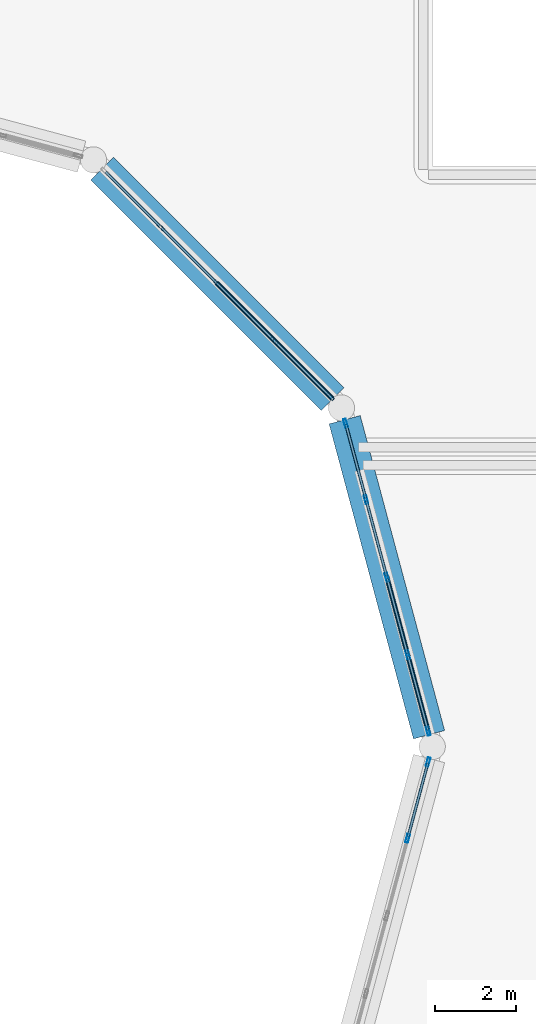
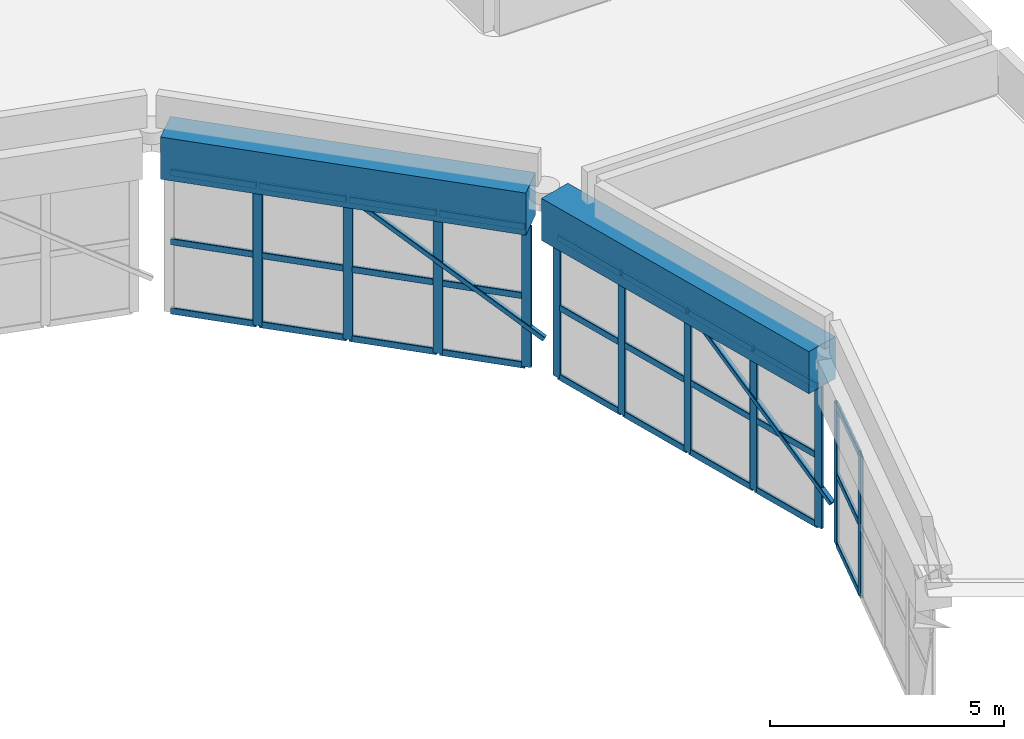
# One storey, part 22 of 48: 40 members, 2 beams, 3 elements without a shape of their own.
"""IFC4 building model written with IfcOpenShell, lengths in metres."""

from ifc_helpers import new_model, si_unit, derived_unit, direction, frame, origin, origin_2d, place, context, subcontext, project, spatial, rectangle, hollow_rectangle, extrude, material, material_profile, profile_set, type_object, element, aggregate, save


model = new_model("IFC4")

# Units and contexts
model_context = context("Model", 3, precision=1e-05, world=origin(), true_north=direction((0.0, 1.0)))
body_context = subcontext(model_context, "Body", "Model", "MODEL_VIEW")
ifc_project = project(units=[si_unit("LENGTHUNIT", "METRE"), si_unit("AREAUNIT", "SQUARE_METRE"), si_unit("VOLUMEUNIT", "CUBIC_METRE"), si_unit("PLANEANGLEUNIT", "RADIAN"), si_unit("MASSUNIT", "GRAM", prefix="KILO"), derived_unit("THERMALTRANSMITTANCEUNIT", [(si_unit("POWERUNIT", "WATT"), 1), (si_unit("LENGTHUNIT", "METRE"), -2), (si_unit("THERMODYNAMICTEMPERATUREUNIT", "KELVIN"), -1)])], contexts=[model_context])

# Site, building, storey
site_placement = place(None, origin())
site = spatial("IfcSite", under=ifc_project, at=site_placement, CompositionType="ELEMENT")
building_placement = place(site_placement, origin())
building = spatial("IfcBuilding", under=site, at=building_placement, Name="Veybourne Emporium", CompositionType="ELEMENT")
storey_placement = place(building_placement, frame((0.0, 0.0, 27.89990234375)))
storey = spatial("IfcBuildingStorey", under=building, at=storey_placement, Name="L06", CompositionType="ELEMENT", Elevation=27.89990234375)

# Curtain wall, members
ifc_material_1 = material(Name="Patinated Architectural Bronze", Category="bronze")
curtain_wall_type_1 = type_object("IfcCurtainWallType", Name="CWSystem_CWS-21", PredefinedType="NOTDEFINED", material=ifc_material_1)
curtain_wall_1_placement = place(storey_placement, origin())
curtain_wall_1 = element("IfcCurtainWall", 1, at=curtain_wall_1_placement, inside=storey, type_object=curtain_wall_type_1, Name="Atrium drum clerestory curtain wall 01", PredefinedType="NOTDEFINED")
ifc_material_profile_1 = material_profile(ifc_material_1, hollow_rectangle(XDim=0.070068359375, YDim=0.219970703125, WallThickness=0.0048828125, InnerFilletRadius=0.007568359375, OuterFilletRadius=0.012451171875, at=origin_2d()), Name="CWM 70x220x5")
ifc_profile_set_1 = profile_set([ifc_material_profile_1], Name="Patinated Architectural Bronze")
member_type_1 = type_object("IfcMemberType", Name="CWMullion_CW-M4", PredefinedType="MULLION", material=ifc_profile_set_1)
member_1_placement = place(storey_placement, frame((92.2978515625, 50.781494140625, -4.5), z_axis=(0.0, 0.0, 1.0), x_axis=(-0.965925678069, -0.258819598266, 0.0)))
member_1 = element("IfcMember", 2, at=member_1_placement, type_object=member_type_1, Name="CWS-21 mullion 1", PredefinedType="MULLION", context=body_context, shape_type="SweptSolid", body=[
    extrude(hollow_rectangle(XDim=0.070068359375, YDim=0.219970703125, WallThickness=0.0048828125, InnerFilletRadius=0.007568359375, OuterFilletRadius=0.012451171875, at=origin_2d()), origin(), (0.0, 0.0, 1.0), 3.68017578125),
])
member_2_placement = place(storey_placement, frame((91.790771484375, 52.673828125, -4.5), z_axis=(0.0, 0.0, 1.0), x_axis=(-0.965925678069, -0.258819598266, 0.0)))
member_2 = element("IfcMember", 3, at=member_2_placement, type_object=member_type_1, Name="CWS-21 mullion 2", PredefinedType="MULLION", context=body_context, shape_type="SweptSolid", body=[
    extrude(hollow_rectangle(XDim=0.070068359375, YDim=0.219970703125, WallThickness=0.0048828125, InnerFilletRadius=0.007568359375, OuterFilletRadius=0.012451171875, at=origin_2d()), origin(), (0.0, 0.0, 1.0), 3.68017578125),
])
member_3_placement = place(storey_placement, frame((91.274658203125, 54.60009765625, -4.5), z_axis=(0.0, 0.0, 1.0), x_axis=(-0.965925678069, -0.258819598266, 0.0)))
member_3 = element("IfcMember", 4, at=member_3_placement, type_object=member_type_1, Name="CWS-21 mullion 3", PredefinedType="MULLION", context=body_context, shape_type="SweptSolid", body=[
    extrude(hollow_rectangle(XDim=0.070068359375, YDim=0.219970703125, WallThickness=0.0048828125, InnerFilletRadius=0.007568359375, OuterFilletRadius=0.012451171875, at=origin_2d()), origin(), (0.0, 0.0, 1.0), 3.68017578125),
])
member_4_placement = place(storey_placement, frame((90.758544921875, 56.526123046875, -4.5), z_axis=(0.0, 0.0, 1.0), x_axis=(-0.965925678069, -0.258819598266, 0.0)))
member_4 = element("IfcMember", 5, at=member_4_placement, type_object=member_type_1, Name="CWS-21 mullion 4", PredefinedType="MULLION", context=body_context, shape_type="SweptSolid", body=[
    extrude(hollow_rectangle(XDim=0.070068359375, YDim=0.219970703125, WallThickness=0.0048828125, InnerFilletRadius=0.007568359375, OuterFilletRadius=0.012451171875, at=origin_2d()), origin(), (0.0, 0.0, 1.0), 3.68017578125),
])
member_5_placement = place(storey_placement, frame((90.25146484375, 58.41845703125, -4.5), z_axis=(0.0, 0.0, 1.0), x_axis=(-0.965925678069, -0.258819598266, 0.0)))
member_5 = element("IfcMember", 6, at=member_5_placement, type_object=member_type_1, Name="CWS-21 mullion 5", PredefinedType="MULLION", context=body_context, shape_type="SweptSolid", body=[
    extrude(hollow_rectangle(XDim=0.070068359375, YDim=0.219970703125, WallThickness=0.0048828125, InnerFilletRadius=0.007568359375, OuterFilletRadius=0.012451171875, at=origin_2d()), origin(), (0.0, 0.0, 1.0), 3.68017578125),
])

curtain_wall_type_2 = type_object("IfcCurtainWallType", Name="CWSystem_CWS-22", PredefinedType="NOTDEFINED", material=ifc_material_1)
curtain_wall_2_placement = place(storey_placement, origin())
curtain_wall_2 = element("IfcCurtainWall", 7, at=curtain_wall_2_placement, inside=storey, type_object=curtain_wall_type_2, Name="Atrium drum clerestory curtain wall 02", PredefinedType="NOTDEFINED")
member_6_placement = place(storey_placement, frame((89.869873046875, 59.079345703125, -4.5), z_axis=(0.0, 0.0, 1.0), x_axis=(-0.707106781187, -0.707106781187, 0.0)))
member_6 = element("IfcMember", 8, at=member_6_placement, type_object=member_type_1, Name="CWS-22 mullion 1", PredefinedType="MULLION", context=body_context, shape_type="SweptSolid", body=[
    extrude(hollow_rectangle(XDim=0.070068359375, YDim=0.219970703125, WallThickness=0.0048828125, InnerFilletRadius=0.007568359375, OuterFilletRadius=0.012451171875, at=origin_2d()), origin(), (0.0, 0.0, 1.0), 3.68017578125),
])
member_7_placement = place(storey_placement, frame((88.484619140625, 60.464599609375, -4.5), z_axis=(0.0, 0.0, 1.0), x_axis=(-0.707106781187, -0.707106781187, 0.0)))
member_7 = element("IfcMember", 9, at=member_7_placement, type_object=member_type_1, Name="CWS-22 mullion 2", PredefinedType="MULLION", context=body_context, shape_type="SweptSolid", body=[
    extrude(hollow_rectangle(XDim=0.070068359375, YDim=0.219970703125, WallThickness=0.0048828125, InnerFilletRadius=0.007568359375, OuterFilletRadius=0.012451171875, at=origin_2d()), origin(), (0.0, 0.0, 1.0), 3.68017578125),
])
member_8_placement = place(storey_placement, frame((87.07470703125, 61.87451171875, -4.5), z_axis=(0.0, 0.0, 1.0), x_axis=(-0.707106781187, -0.707106781187, 0.0)))
member_8 = element("IfcMember", 10, at=member_8_placement, type_object=member_type_1, Name="CWS-22 mullion 3", PredefinedType="MULLION", context=body_context, shape_type="SweptSolid", body=[
    extrude(hollow_rectangle(XDim=0.070068359375, YDim=0.219970703125, WallThickness=0.0048828125, InnerFilletRadius=0.007568359375, OuterFilletRadius=0.012451171875, at=origin_2d()), origin(), (0.0, 0.0, 1.0), 3.68017578125),
])
member_9_placement = place(storey_placement, frame((85.66455078125, 63.28466796875, -4.5), z_axis=(0.0, 0.0, 1.0), x_axis=(-0.707106781187, -0.707106781187, 0.0)))
member_9 = element("IfcMember", 11, at=member_9_placement, type_object=member_type_1, Name="CWS-22 mullion 4", PredefinedType="MULLION", context=body_context, shape_type="SweptSolid", body=[
    extrude(hollow_rectangle(XDim=0.070068359375, YDim=0.219970703125, WallThickness=0.0048828125, InnerFilletRadius=0.007568359375, OuterFilletRadius=0.012451171875, at=origin_2d()), origin(), (0.0, 0.0, 1.0), 3.68017578125),
])

curtain_wall_type_3 = type_object("IfcCurtainWallType", Name="CWSystem_CWS-24", PredefinedType="NOTDEFINED", material=ifc_material_1)
curtain_wall_3_placement = place(storey_placement, origin())
curtain_wall_3 = element("IfcCurtainWall", 12, at=curtain_wall_3_placement, inside=storey, type_object=curtain_wall_type_3, Name="Atrium drum clerestory curtain wall 12", PredefinedType="NOTDEFINED")
member_10_placement = place(storey_placement, frame((91.790771484375, 48.126220703125, -4.5), z_axis=(0.0, 0.0, 1.0), x_axis=(-0.965925678069, 0.258819598266, 0.0)))
member_10 = element("IfcMember", 13, at=member_10_placement, type_object=member_type_1, Name="CWS-24 mullion 4", PredefinedType="MULLION", context=body_context, shape_type="SweptSolid", body=[
    extrude(hollow_rectangle(XDim=0.070068359375, YDim=0.219970703125, WallThickness=0.0048828125, InnerFilletRadius=0.007568359375, OuterFilletRadius=0.012451171875, at=origin_2d()), origin(), (0.0, 0.0, 1.0), 3.68017578125),
])
member_11_placement = place(storey_placement, frame((92.2978515625, 50.0185546875, -4.5), z_axis=(0.0, 0.0, 1.0), x_axis=(-0.965925678069, 0.258819598266, 0.0)))
member_11 = element("IfcMember", 14, at=member_11_placement, type_object=member_type_1, Name="CWS-24 mullion 5", PredefinedType="MULLION", context=body_context, shape_type="SweptSolid", body=[
    extrude(hollow_rectangle(XDim=0.070068359375, YDim=0.219970703125, WallThickness=0.0048828125, InnerFilletRadius=0.007568359375, OuterFilletRadius=0.012451171875, at=origin_2d()), origin(), (0.0, 0.0, 1.0), 3.68017578125),
])

# Member
ifc_material_profile_2 = material_profile(ifc_material_1, hollow_rectangle(XDim=0.070068359375, YDim=0.169921875, WallThickness=0.0048828125, InnerFilletRadius=0.007568359375, OuterFilletRadius=0.012451171875, at=origin_2d()), Name="CWT 70x170x5")
ifc_profile_set_2 = profile_set([ifc_material_profile_2], Name="Patinated Architectural Bronze")
member_type_2 = type_object("IfcMemberType", Name="CWTransom_CW-T4", PredefinedType="NOTDEFINED", material=ifc_profile_set_2)
member_12_placement = place(storey_placement, frame((92.288818359375, 50.8154296875, -4.46484375), z_axis=(-0.258860974636, 0.965914590329, 0.0), x_axis=(-0.965914590329, -0.258860974636, 0.0)))
member_12 = element("IfcMember", 15, at=member_12_placement, type_object=member_type_2, Name="CWS-21 transom 1.1", ObjectType="TRANSOM", PredefinedType="USERDEFINED", context=body_context, shape_type="SweptSolid", body=[
    extrude(hollow_rectangle(XDim=0.070068359375, YDim=0.169921875, WallThickness=0.0048828125, InnerFilletRadius=0.007568359375, OuterFilletRadius=0.012451171875, at=origin_2d()), origin(), (0.0, 0.0, 1.0), 1.88916015625),
])

member_13_placement = place(storey_placement, frame((92.288818359375, 50.8154296875, -2.659912109375), z_axis=(-0.258860974636, 0.965914590329, 0.0), x_axis=(-0.965914590329, -0.258860974636, 0.0)))
member_13 = element("IfcMember", 16, at=member_13_placement, type_object=member_type_2, Name="CWS-21 transom 1.2", ObjectType="TRANSOM", PredefinedType="USERDEFINED", context=body_context, shape_type="SweptSolid", body=[
    extrude(hollow_rectangle(XDim=0.070068359375, YDim=0.169921875, WallThickness=0.0048828125, InnerFilletRadius=0.007568359375, OuterFilletRadius=0.012451171875, at=origin_2d()), origin(), (0.0, 0.0, 1.0), 1.88916015625),
])

member_14_placement = place(storey_placement, frame((92.288818359375, 50.8154296875, -0.85498046875), z_axis=(-0.258860974636, 0.965914590329, 0.0), x_axis=(-0.965914590329, -0.258860974636, 0.0)))
member_14 = element("IfcMember", 17, at=member_14_placement, type_object=member_type_2, Name="CWS-21 transom 1.3", ObjectType="TRANSOM", PredefinedType="USERDEFINED", context=body_context, shape_type="SweptSolid", body=[
    extrude(hollow_rectangle(XDim=0.070068359375, YDim=0.169921875, WallThickness=0.0048828125, InnerFilletRadius=0.007568359375, OuterFilletRadius=0.012451171875, at=origin_2d()), origin(), (0.0, 0.0, 1.0), 1.88916015625),
])

member_15_placement = place(storey_placement, frame((91.78173828125, 52.707763671875, -4.46484375), z_axis=(-0.258862938836, 0.96591406393, 0.0), x_axis=(-0.96591406393, -0.258862938836, 0.0)))
member_15 = element("IfcMember", 18, at=member_15_placement, type_object=member_type_2, Name="CWS-21 transom 2.1", ObjectType="TRANSOM", PredefinedType="USERDEFINED", context=body_context, shape_type="SweptSolid", body=[
    extrude(hollow_rectangle(XDim=0.070068359375, YDim=0.169921875, WallThickness=0.0048828125, InnerFilletRadius=0.007568359375, OuterFilletRadius=0.012451171875, at=origin_2d()), origin(), (0.0, 0.0, 1.0), 1.924072265625),
])

member_16_placement = place(storey_placement, frame((91.78173828125, 52.707763671875, -2.659912109375), z_axis=(-0.258862938836, 0.96591406393, 0.0), x_axis=(-0.96591406393, -0.258862938836, 0.0)))
member_16 = element("IfcMember", 19, at=member_16_placement, type_object=member_type_2, Name="CWS-21 transom 2.2", ObjectType="TRANSOM", PredefinedType="USERDEFINED", context=body_context, shape_type="SweptSolid", body=[
    extrude(hollow_rectangle(XDim=0.070068359375, YDim=0.169921875, WallThickness=0.0048828125, InnerFilletRadius=0.007568359375, OuterFilletRadius=0.012451171875, at=origin_2d()), origin(), (0.0, 0.0, 1.0), 1.924072265625),
])

member_17_placement = place(storey_placement, frame((91.78173828125, 52.707763671875, -0.85498046875), z_axis=(-0.258862938836, 0.96591406393, 0.0), x_axis=(-0.96591406393, -0.258862938836, 0.0)))
member_17 = element("IfcMember", 20, at=member_17_placement, type_object=member_type_2, Name="CWS-21 transom 2.3", ObjectType="TRANSOM", PredefinedType="USERDEFINED", context=body_context, shape_type="SweptSolid", body=[
    extrude(hollow_rectangle(XDim=0.070068359375, YDim=0.169921875, WallThickness=0.0048828125, InnerFilletRadius=0.007568359375, OuterFilletRadius=0.012451171875, at=origin_2d()), origin(), (0.0, 0.0, 1.0), 1.924072265625),
])

member_18_placement = place(storey_placement, frame((91.265625, 54.6337890625, -4.46484375), z_axis=(-0.258831214191, 0.965922565509, 0.0), x_axis=(-0.965922565509, -0.258831214191, 0.0)))
member_18 = element("IfcMember", 21, at=member_18_placement, type_object=member_type_2, Name="CWS-21 transom 3.1", ObjectType="TRANSOM", PredefinedType="USERDEFINED", context=body_context, shape_type="SweptSolid", body=[
    extrude(hollow_rectangle(XDim=0.070068359375, YDim=0.169921875, WallThickness=0.0048828125, InnerFilletRadius=0.007568359375, OuterFilletRadius=0.012451171875, at=origin_2d()), origin(), (0.0, 0.0, 1.0), 1.92431640625),
])

member_19_placement = place(storey_placement, frame((91.265625, 54.6337890625, -2.659912109375), z_axis=(-0.258831214191, 0.965922565509, 0.0), x_axis=(-0.965922565509, -0.258831214191, 0.0)))
member_19 = element("IfcMember", 22, at=member_19_placement, type_object=member_type_2, Name="CWS-21 transom 3.2", ObjectType="TRANSOM", PredefinedType="USERDEFINED", context=body_context, shape_type="SweptSolid", body=[
    extrude(hollow_rectangle(XDim=0.070068359375, YDim=0.169921875, WallThickness=0.0048828125, InnerFilletRadius=0.007568359375, OuterFilletRadius=0.012451171875, at=origin_2d()), origin(), (0.0, 0.0, 1.0), 1.92431640625),
])

member_20_placement = place(storey_placement, frame((91.265625, 54.6337890625, -0.85498046875), z_axis=(-0.258831214191, 0.965922565509, 0.0), x_axis=(-0.965922565509, -0.258831214191, 0.0)))
member_20 = element("IfcMember", 23, at=member_20_placement, type_object=member_type_2, Name="CWS-21 transom 3.3", ObjectType="TRANSOM", PredefinedType="USERDEFINED", context=body_context, shape_type="SweptSolid", body=[
    extrude(hollow_rectangle(XDim=0.070068359375, YDim=0.169921875, WallThickness=0.0048828125, InnerFilletRadius=0.007568359375, OuterFilletRadius=0.012451171875, at=origin_2d()), origin(), (0.0, 0.0, 1.0), 1.92431640625),
])

member_21_placement = place(storey_placement, frame((90.74951171875, 56.56005859375, -4.46484375), z_axis=(-0.258860974636, 0.965914590329, 0.0), x_axis=(-0.965914590329, -0.258860974636, 0.0)))
member_21 = element("IfcMember", 24, at=member_21_placement, type_object=member_type_2, Name="CWS-21 transom 4.1", ObjectType="TRANSOM", PredefinedType="USERDEFINED", context=body_context, shape_type="SweptSolid", body=[
    extrude(hollow_rectangle(XDim=0.070068359375, YDim=0.169921875, WallThickness=0.0048828125, InnerFilletRadius=0.007568359375, OuterFilletRadius=0.012451171875, at=origin_2d()), origin(), (0.0, 0.0, 1.0), 1.88916015625),
])

member_22_placement = place(storey_placement, frame((90.74951171875, 56.56005859375, -2.659912109375), z_axis=(-0.258860974636, 0.965914590329, 0.0), x_axis=(-0.965914590329, -0.258860974636, 0.0)))
member_22 = element("IfcMember", 25, at=member_22_placement, type_object=member_type_2, Name="CWS-21 transom 4.2", ObjectType="TRANSOM", PredefinedType="USERDEFINED", context=body_context, shape_type="SweptSolid", body=[
    extrude(hollow_rectangle(XDim=0.070068359375, YDim=0.169921875, WallThickness=0.0048828125, InnerFilletRadius=0.007568359375, OuterFilletRadius=0.012451171875, at=origin_2d()), origin(), (0.0, 0.0, 1.0), 1.88916015625),
])

member_23_placement = place(storey_placement, frame((90.74951171875, 56.56005859375, -0.85498046875), z_axis=(-0.258860974636, 0.965914590329, 0.0), x_axis=(-0.965914590329, -0.258860974636, 0.0)))
member_23 = element("IfcMember", 26, at=member_23_placement, type_object=member_type_2, Name="CWS-21 transom 4.3", ObjectType="TRANSOM", PredefinedType="USERDEFINED", context=body_context, shape_type="SweptSolid", body=[
    extrude(hollow_rectangle(XDim=0.070068359375, YDim=0.169921875, WallThickness=0.0048828125, InnerFilletRadius=0.007568359375, OuterFilletRadius=0.012451171875, at=origin_2d()), origin(), (0.0, 0.0, 1.0), 1.88916015625),
])

aggregate(curtain_wall_1, [member_1, member_2, member_3, member_4, member_5, member_12, member_13, member_14, member_15, member_16, member_17, member_18, member_19, member_20, member_21, member_22, member_23])

member_24_placement = place(storey_placement, frame((89.84521484375, 59.10400390625, -4.46484375), z_axis=(-0.707106781187, 0.707106781187, 0.0), x_axis=(-0.707106781187, -0.707106781187, 0.0)))
member_24 = element("IfcMember", 27, at=member_24_placement, type_object=member_type_2, Name="CWS-22 transom 1.1", ObjectType="TRANSOM", PredefinedType="USERDEFINED", context=body_context, shape_type="SweptSolid", body=[
    extrude(hollow_rectangle(XDim=0.070068359375, YDim=0.169921875, WallThickness=0.0048828125, InnerFilletRadius=0.007568359375, OuterFilletRadius=0.012451171875, at=origin_2d()), origin(), (0.0, 0.0, 1.0), 1.889404296875),
])

member_25_placement = place(storey_placement, frame((89.84521484375, 59.10400390625, -2.659912109375), z_axis=(-0.707106781187, 0.707106781187, 0.0), x_axis=(-0.707106781187, -0.707106781187, 0.0)))
member_25 = element("IfcMember", 28, at=member_25_placement, type_object=member_type_2, Name="CWS-22 transom 1.2", ObjectType="TRANSOM", PredefinedType="USERDEFINED", context=body_context, shape_type="SweptSolid", body=[
    extrude(hollow_rectangle(XDim=0.070068359375, YDim=0.169921875, WallThickness=0.0048828125, InnerFilletRadius=0.007568359375, OuterFilletRadius=0.012451171875, at=origin_2d()), origin(), (0.0, 0.0, 1.0), 1.889404296875),
])

member_26_placement = place(storey_placement, frame((89.84521484375, 59.10400390625, -0.85498046875), z_axis=(-0.707106781187, 0.707106781187, 0.0), x_axis=(-0.707106781187, -0.707106781187, 0.0)))
member_26 = element("IfcMember", 29, at=member_26_placement, type_object=member_type_2, Name="CWS-22 transom 1.3", ObjectType="TRANSOM", PredefinedType="USERDEFINED", context=body_context, shape_type="SweptSolid", body=[
    extrude(hollow_rectangle(XDim=0.070068359375, YDim=0.169921875, WallThickness=0.0048828125, InnerFilletRadius=0.007568359375, OuterFilletRadius=0.012451171875, at=origin_2d()), origin(), (0.0, 0.0, 1.0), 1.889404296875),
])

member_27_placement = place(storey_placement, frame((88.4599609375, 60.4892578125, -4.46484375), z_axis=(-0.707106781187, 0.707106781187, 0.0), x_axis=(-0.707106781187, -0.707106781187, 0.0)))
member_27 = element("IfcMember", 30, at=member_27_placement, type_object=member_type_2, Name="CWS-22 transom 2.1", ObjectType="TRANSOM", PredefinedType="USERDEFINED", context=body_context, shape_type="SweptSolid", body=[
    extrude(hollow_rectangle(XDim=0.070068359375, YDim=0.169921875, WallThickness=0.0048828125, InnerFilletRadius=0.007568359375, OuterFilletRadius=0.012451171875, at=origin_2d()), origin(), (0.0, 0.0, 1.0), 1.924072265625),
])

member_28_placement = place(storey_placement, frame((88.4599609375, 60.4892578125, -2.659912109375), z_axis=(-0.707106781187, 0.707106781187, 0.0), x_axis=(-0.707106781187, -0.707106781187, 0.0)))
member_28 = element("IfcMember", 31, at=member_28_placement, type_object=member_type_2, Name="CWS-22 transom 2.2", ObjectType="TRANSOM", PredefinedType="USERDEFINED", context=body_context, shape_type="SweptSolid", body=[
    extrude(hollow_rectangle(XDim=0.070068359375, YDim=0.169921875, WallThickness=0.0048828125, InnerFilletRadius=0.007568359375, OuterFilletRadius=0.012451171875, at=origin_2d()), origin(), (0.0, 0.0, 1.0), 1.924072265625),
])

member_29_placement = place(storey_placement, frame((88.4599609375, 60.4892578125, -0.85498046875), z_axis=(-0.707106781187, 0.707106781187, 0.0), x_axis=(-0.707106781187, -0.707106781187, 0.0)))
member_29 = element("IfcMember", 32, at=member_29_placement, type_object=member_type_2, Name="CWS-22 transom 2.3", ObjectType="TRANSOM", PredefinedType="USERDEFINED", context=body_context, shape_type="SweptSolid", body=[
    extrude(hollow_rectangle(XDim=0.070068359375, YDim=0.169921875, WallThickness=0.0048828125, InnerFilletRadius=0.007568359375, OuterFilletRadius=0.012451171875, at=origin_2d()), origin(), (0.0, 0.0, 1.0), 1.924072265625),
])

member_30_placement = place(storey_placement, frame((87.0498046875, 61.8994140625, -4.46484375), z_axis=(-0.707043332241, 0.70717022444, 0.0), x_axis=(-0.70717022444, -0.707043332241, 0.0)))
member_30 = element("IfcMember", 33, at=member_30_placement, type_object=member_type_2, Name="CWS-22 transom 3.1", ObjectType="TRANSOM", PredefinedType="USERDEFINED", context=body_context, shape_type="SweptSolid", body=[
    extrude(hollow_rectangle(XDim=0.070068359375, YDim=0.169921875, WallThickness=0.0048828125, InnerFilletRadius=0.007568359375, OuterFilletRadius=0.012451171875, at=origin_2d()), origin(), (0.0, 0.0, 1.0), 1.924072265625),
])

member_31_placement = place(storey_placement, frame((87.0498046875, 61.8994140625, -2.659912109375), z_axis=(-0.707043332241, 0.70717022444, 0.0), x_axis=(-0.70717022444, -0.707043332241, 0.0)))
member_31 = element("IfcMember", 34, at=member_31_placement, type_object=member_type_2, Name="CWS-22 transom 3.2", ObjectType="TRANSOM", PredefinedType="USERDEFINED", context=body_context, shape_type="SweptSolid", body=[
    extrude(hollow_rectangle(XDim=0.070068359375, YDim=0.169921875, WallThickness=0.0048828125, InnerFilletRadius=0.007568359375, OuterFilletRadius=0.012451171875, at=origin_2d()), origin(), (0.0, 0.0, 1.0), 1.924072265625),
])

member_32_placement = place(storey_placement, frame((87.0498046875, 61.8994140625, -0.85498046875), z_axis=(-0.707043332241, 0.70717022444, 0.0), x_axis=(-0.70717022444, -0.707043332241, 0.0)))
member_32 = element("IfcMember", 35, at=member_32_placement, type_object=member_type_2, Name="CWS-22 transom 3.3", ObjectType="TRANSOM", PredefinedType="USERDEFINED", context=body_context, shape_type="SweptSolid", body=[
    extrude(hollow_rectangle(XDim=0.070068359375, YDim=0.169921875, WallThickness=0.0048828125, InnerFilletRadius=0.007568359375, OuterFilletRadius=0.012451171875, at=origin_2d()), origin(), (0.0, 0.0, 1.0), 1.924072265625),
])

member_33_placement = place(storey_placement, frame((85.639892578125, 63.309326171875, -4.46484375), z_axis=(-0.707106781187, 0.707106781187, 0.0), x_axis=(-0.707106781187, -0.707106781187, 0.0)))
member_33 = element("IfcMember", 36, at=member_33_placement, type_object=member_type_2, Name="CWS-22 transom 4.1", ObjectType="TRANSOM", PredefinedType="USERDEFINED", context=body_context, shape_type="SweptSolid", body=[
    extrude(hollow_rectangle(XDim=0.070068359375, YDim=0.169921875, WallThickness=0.0048828125, InnerFilletRadius=0.007568359375, OuterFilletRadius=0.012451171875, at=origin_2d()), origin(), (0.0, 0.0, 1.0), 1.889404296875),
])

member_34_placement = place(storey_placement, frame((85.639892578125, 63.309326171875, -2.659912109375), z_axis=(-0.707106781187, 0.707106781187, 0.0), x_axis=(-0.707106781187, -0.707106781187, 0.0)))
member_34 = element("IfcMember", 37, at=member_34_placement, type_object=member_type_2, Name="CWS-22 transom 4.2", ObjectType="TRANSOM", PredefinedType="USERDEFINED", context=body_context, shape_type="SweptSolid", body=[
    extrude(hollow_rectangle(XDim=0.070068359375, YDim=0.169921875, WallThickness=0.0048828125, InnerFilletRadius=0.007568359375, OuterFilletRadius=0.012451171875, at=origin_2d()), origin(), (0.0, 0.0, 1.0), 1.889404296875),
])

member_35_placement = place(storey_placement, frame((85.639892578125, 63.309326171875, -0.85498046875), z_axis=(-0.707106781187, 0.707106781187, 0.0), x_axis=(-0.707106781187, -0.707106781187, 0.0)))
member_35 = element("IfcMember", 38, at=member_35_placement, type_object=member_type_2, Name="CWS-22 transom 4.3", ObjectType="TRANSOM", PredefinedType="USERDEFINED", context=body_context, shape_type="SweptSolid", body=[
    extrude(hollow_rectangle(XDim=0.070068359375, YDim=0.169921875, WallThickness=0.0048828125, InnerFilletRadius=0.007568359375, OuterFilletRadius=0.012451171875, at=origin_2d()), origin(), (0.0, 0.0, 1.0), 1.889404296875),
])

aggregate(curtain_wall_2, [member_6, member_7, member_8, member_9, member_24, member_25, member_26, member_27, member_28, member_29, member_30, member_31, member_32, member_33, member_34, member_35])

member_36_placement = place(storey_placement, frame((91.7998046875, 48.159912109375, -4.46484375), z_axis=(0.258860974636, 0.965914590329, 0.0), x_axis=(-0.965914590329, 0.258860974636, 0.0)))
member_36 = element("IfcMember", 39, at=member_36_placement, type_object=member_type_2, Name="CWS-24 transom 4.1", ObjectType="TRANSOM", PredefinedType="USERDEFINED", context=body_context, shape_type="SweptSolid", body=[
    extrude(hollow_rectangle(XDim=0.070068359375, YDim=0.169921875, WallThickness=0.0048828125, InnerFilletRadius=0.007568359375, OuterFilletRadius=0.012451171875, at=origin_2d()), origin(), (0.0, 0.0, 1.0), 1.88916015625),
])

member_37_placement = place(storey_placement, frame((91.7998046875, 48.159912109375, -2.659912109375), z_axis=(0.258860974636, 0.965914590329, 0.0), x_axis=(-0.965914590329, 0.258860974636, 0.0)))
member_37 = element("IfcMember", 40, at=member_37_placement, type_object=member_type_2, Name="CWS-24 transom 4.2", ObjectType="TRANSOM", PredefinedType="USERDEFINED", context=body_context, shape_type="SweptSolid", body=[
    extrude(hollow_rectangle(XDim=0.070068359375, YDim=0.169921875, WallThickness=0.0048828125, InnerFilletRadius=0.007568359375, OuterFilletRadius=0.012451171875, at=origin_2d()), origin(), (0.0, 0.0, 1.0), 1.88916015625),
])

member_38_placement = place(storey_placement, frame((91.7998046875, 48.159912109375, -0.85498046875), z_axis=(0.258860974636, 0.965914590329, 0.0), x_axis=(-0.965914590329, 0.258860974636, 0.0)))
member_38 = element("IfcMember", 41, at=member_38_placement, type_object=member_type_2, Name="CWS-24 transom 4.3", ObjectType="TRANSOM", PredefinedType="USERDEFINED", context=body_context, shape_type="SweptSolid", body=[
    extrude(hollow_rectangle(XDim=0.070068359375, YDim=0.169921875, WallThickness=0.0048828125, InnerFilletRadius=0.007568359375, OuterFilletRadius=0.012451171875, at=origin_2d()), origin(), (0.0, 0.0, 1.0), 1.88916015625),
])

aggregate(curtain_wall_3, [member_10, member_11, member_36, member_37, member_38])

# Beams
ifc_material_2 = material(Name="Concrete C40/50", Category="concrete")
ifc_material_profile_3 = material_profile(ifc_material_2, rectangle(XDim=0.800048828125, YDim=1.10009765625, at=origin_2d()), Name="RC 800x1100")
ifc_profile_set_3 = profile_set([ifc_material_profile_3], Name="Concrete C40/50")
beam_type = type_object("IfcBeamType", Name="RCBeam_RB-01", PredefinedType="BEAM", material=ifc_profile_set_3)
beam_1_placement = place(storey_placement, frame((92.321044921875, 50.694580078125, -0.25), z_axis=(-0.258805002235, 0.965929588955, 0.0), x_axis=(-0.965929588955, -0.258805002235, 0.0)))
element("IfcBeam", 42, at=beam_1_placement, inside=storey, type_object=beam_type, Name="Atrium ring beam RB-01 L06-01", PredefinedType="BEAM", context=body_context, shape_type="SweptSolid", body=[
    extrude(rectangle(XDim=0.800048828125, YDim=1.10009765625, at=origin_2d()), origin(), (0.0, 0.0, 1.0), 8.086181640625),
])
beam_2_placement = place(storey_placement, frame((89.93359375, 59.015625, -0.25), z_axis=(-0.707106781187, 0.707106781187, 0.0), x_axis=(-0.707106781187, -0.707106781187, 0.0)))
element("IfcBeam", 43, at=beam_2_placement, inside=storey, type_object=beam_type, Name="Atrium ring beam RB-01 L06-02", PredefinedType="BEAM", context=body_context, shape_type="SweptSolid", body=[
    extrude(rectangle(XDim=0.800048828125, YDim=1.10009765625, at=origin_2d()), origin(), (0.0, 0.0, 1.0), 8.08642578125),
])

# Members
ifc_material_3 = material(Name="Steel S355", Category="steel")
ifc_material_profile_4 = material_profile(ifc_material_3, hollow_rectangle(XDim=0.1201171875, YDim=0.1201171875, WallThickness=0.00634765625, InnerFilletRadius=0.009521484375, OuterFilletRadius=0.015869140625, at=origin_2d()), Name="SHS 120x120x6.3")
ifc_profile_set_4 = profile_set([ifc_material_profile_4], Name="Steel S355")
member_type_3 = type_object("IfcMemberType", Name="SteelMem_CS-02", PredefinedType="STRUT", material=ifc_profile_set_4)
member_39_placement = place(storey_placement, frame((92.39990234375, 50.39990234375, -3.699951171875), z_axis=(-0.214147665735, 0.79934832747, 0.561411639201), x_axis=(-0.965937025215, -0.258777246525, 0.0)))
element("IfcMember", 44, at=member_39_placement, inside=storey, type_object=member_type_3, Name="Drum clerestory diagonal strut 01", PredefinedType="STRUT", context=body_context, shape_type="SweptSolid", body=[
    extrude(hollow_rectangle(XDim=0.1201171875, YDim=0.1201171875, WallThickness=0.00634765625, InnerFilletRadius=0.009521484375, OuterFilletRadius=0.015869140625, at=origin_2d()), origin(), (0.0, 0.0, 1.0), 5.254638671875),
])
member_40_placement = place(storey_placement, frame((90.149169921875, 58.800048828125, -3.699951171875), z_axis=(-0.585141337469, 0.585141337469, 0.561443879984), x_axis=(-0.707106781187, -0.707106781187, 0.0)))
element("IfcMember", 45, at=member_40_placement, inside=storey, type_object=member_type_3, Name="Drum clerestory diagonal strut 02", PredefinedType="STRUT", context=body_context, shape_type="SweptSolid", body=[
    extrude(hollow_rectangle(XDim=0.1201171875, YDim=0.1201171875, WallThickness=0.00634765625, InnerFilletRadius=0.009521484375, OuterFilletRadius=0.015869140625, at=origin_2d()), origin(), (0.0, 0.0, 1.0), 5.254150390625),
])

save(model, "model.ifc")
